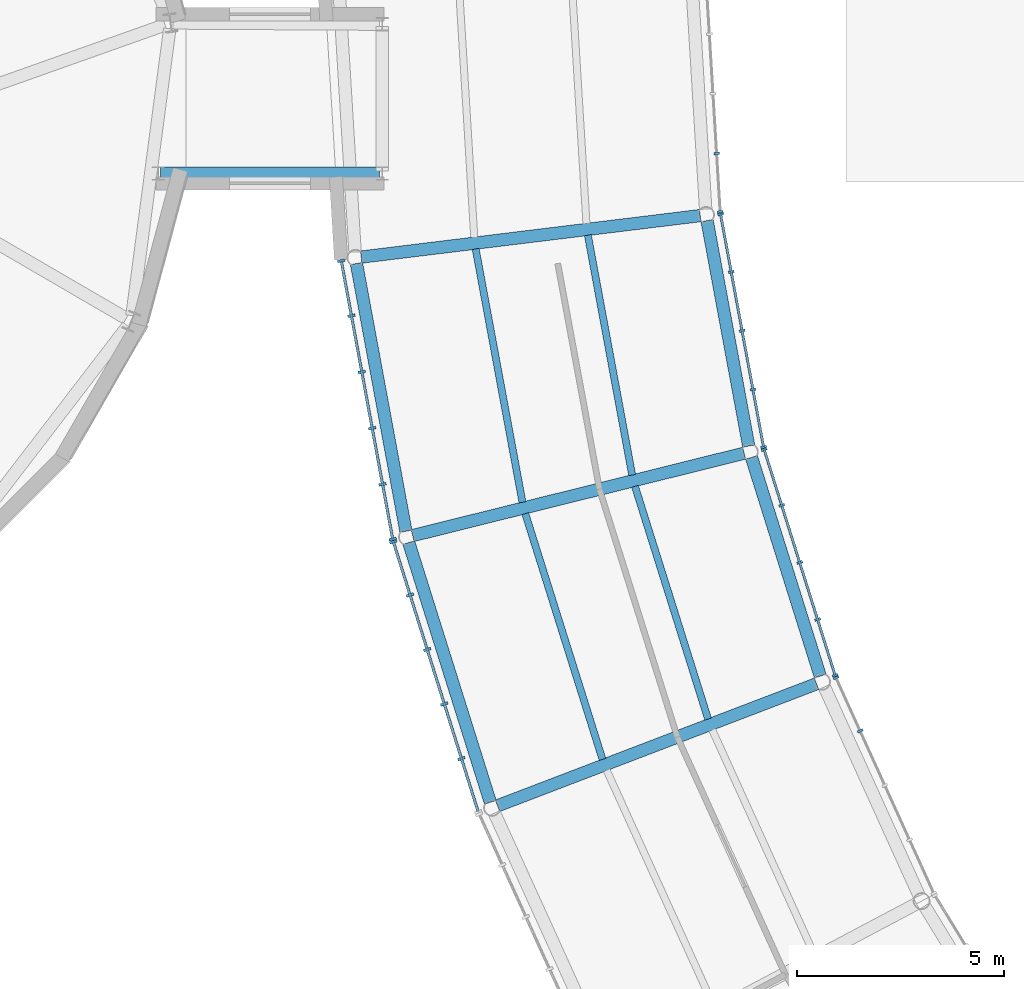
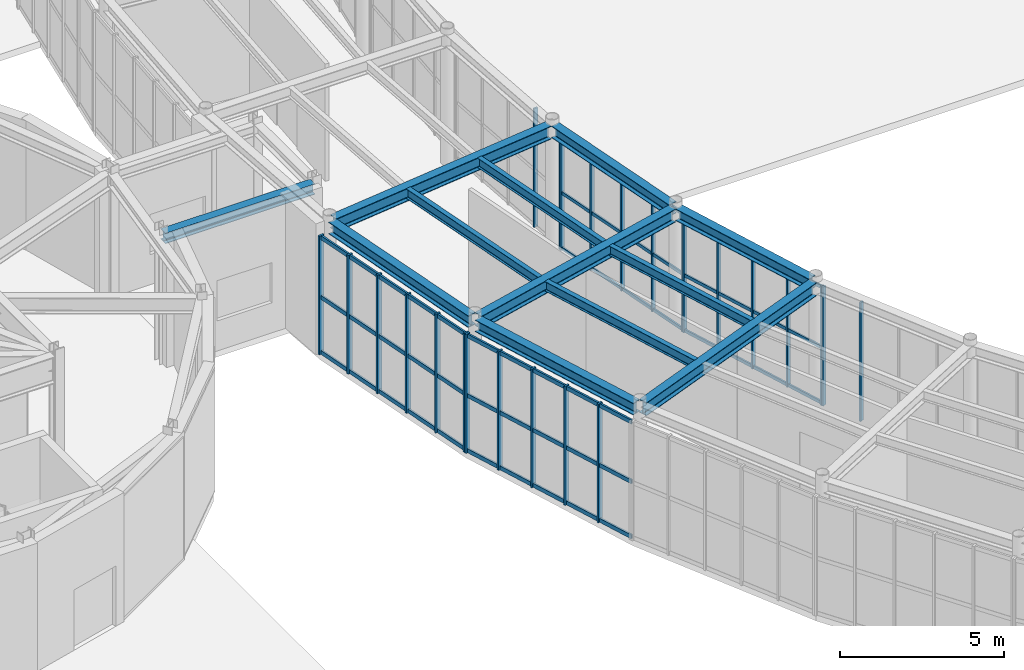
# One storey, part 22 of 97: 37 members, 12 beams, 6 elements without a shape of their own.
"""IFC4 building model written with IfcOpenShell, lengths in metres."""

from ifc_helpers import new_model, si_unit, direction, frame, origin, origin_2d, place, context, subcontext, project, spatial, rectangle, i_section, extrude, material, material_profile, profile_set, type_object, element, aggregate, save


model = new_model("IFC4")

# Units and contexts
model_context = context("Model", 3, precision=1e-05, world=origin(), true_north=direction((0.0, 1.0)))
body_context = subcontext(model_context, "Body", "Model", "MODEL_VIEW")
ifc_project = project(units=[si_unit("LENGTHUNIT", "METRE"), si_unit("AREAUNIT", "SQUARE_METRE"), si_unit("VOLUMEUNIT", "CUBIC_METRE"), si_unit("PLANEANGLEUNIT", "RADIAN"), si_unit("MASSUNIT", "GRAM", prefix="KILO")], contexts=[model_context])

# Site, building, storey
site_placement = place(None, origin())
site = spatial("IfcSite", under=ifc_project, at=site_placement, CompositionType="ELEMENT")
building_placement = place(site_placement, origin())
building = spatial("IfcBuilding", under=site, at=building_placement, Name="Varnklinge Art Gallery", CompositionType="ELEMENT")
storey_placement = place(building_placement, origin())
storey = spatial("IfcBuildingStorey", under=building, at=storey_placement, Name="L00", CompositionType="ELEMENT", Elevation=0.0)

# Beams
ifc_material_1 = material(Name="Steel S355", Category="steel")
ifc_material_profile_1 = material_profile(ifc_material_1, i_section(OverallWidth=0.300048828125, OverallDepth=0.489990234375, WebThickness=0.011962890625, FlangeThickness=0.02294921875, FilletRadius=0.027099609375, at=origin_2d()), Name="HEA 500")
ifc_profile_set_1 = profile_set([ifc_material_profile_1], Name="Steel S355")
beam_type_1 = type_object("IfcBeamType", Name="BM-07", PredefinedType="BEAM", material=ifc_profile_set_1)
beam_1_placement = place(storey_placement, frame((40.297119140625, 48.18359375, 4.635009765625), z_axis=(0.992595580805, 0.121466098009, 0.0), x_axis=(-0.121466098009, 0.992595580805, 0.0)))
element("IfcBeam", 1, at=beam_1_placement, inside=storey, type_object=beam_type_1, Name="L00 BM-07 BM-V2-L01-R28", PredefinedType="BEAM", context=body_context, shape_type="SweptSolid", body=[
    extrude(i_section(OverallWidth=0.300048828125, OverallDepth=0.489990234375, WebThickness=0.011962890625, FlangeThickness=0.02294921875, FilletRadius=0.027099609375, at=origin_2d()), origin(), (0.0, 0.0, 1.0), 8.23681640625),
])
beam_2_placement = place(storey_placement, frame((41.53759765625, 41.468017578125, 4.635009765625), z_axis=(0.970493677731, 0.241126567355, 0.0), x_axis=(-0.241126567355, 0.970493677731, 0.0)))
element("IfcBeam", 2, at=beam_2_placement, inside=storey, type_object=beam_type_1, Name="L00 BM-07 BM-V2-L01-R29", PredefinedType="BEAM", context=body_context, shape_type="SweptSolid", body=[
    extrude(i_section(OverallWidth=0.300048828125, OverallDepth=0.489990234375, WebThickness=0.011962890625, FlangeThickness=0.02294921875, FilletRadius=0.027099609375, at=origin_2d()), origin(), (0.0, 0.0, 1.0), 8.236572265625),
])
beam_3_placement = place(storey_placement, frame((43.584228515625, 34.952880859375, 4.635009765625), z_axis=(0.934013153302, 0.357238616976, 0.0), x_axis=(-0.357238616976, 0.934013153302, 0.0)))
element("IfcBeam", 3, at=beam_3_placement, inside=storey, type_object=beam_type_1, Name="L00 BM-07 BM-V2-L01-R30", PredefinedType="BEAM", context=body_context, shape_type="SweptSolid", body=[
    extrude(i_section(OverallWidth=0.300048828125, OverallDepth=0.489990234375, WebThickness=0.011962890625, FlangeThickness=0.02294921875, FilletRadius=0.027099609375, at=origin_2d()), origin(), (0.0, 0.0, 1.0), 8.237060546875),
])
ifc_material_2 = material(Name="Steel S355", Category="steel")
ifc_material_profile_2 = material_profile(ifc_material_2, i_section(OverallWidth=0.300048828125, OverallDepth=0.389892578125, WebThickness=0.010986328125, FlangeThickness=0.01904296875, FilletRadius=0.027099609375, at=origin_2d()), Name="HEA 400")
ifc_profile_set_2 = profile_set([ifc_material_profile_2], Name="Steel S355")
beam_type_2 = type_object("IfcBeamType", Name="BM-09", PredefinedType="BEAM", material=ifc_profile_set_2)
beam_4_placement = place(storey_placement, frame((35.4599609375, 50.199951171875, 4.625), z_axis=(1.0, 0.0, 0.0), x_axis=(0.0, 1.0, 0.0)))
element("IfcBeam", 4, at=beam_4_placement, inside=storey, type_object=beam_type_2, Name="L00 BM-09 BM-LNK-V3-L01-1", PredefinedType="BEAM", context=body_context, shape_type="SweptSolid", body=[
    extrude(i_section(OverallWidth=0.300048828125, OverallDepth=0.389892578125, WebThickness=0.010986328125, FlangeThickness=0.01904296875, FilletRadius=0.027099609375, at=origin_2d()), origin(), (0.0, 0.0, 1.0), 5.280029296875),
])
ifc_material_3 = material(Name="Steel S355", Category="steel")
ifc_material_profile_3 = material_profile(ifc_material_3, i_section(OverallWidth=0.169921875, OverallDepth=0.360107421875, WebThickness=0.008056640625, FlangeThickness=0.0126953125, FilletRadius=0.01806640625, at=origin_2d()), Name="IPE 360")
ifc_profile_set_3 = profile_set([ifc_material_profile_3], Name="Steel S355")
beam_type_3 = type_object("IfcBeamType", Name="JST-06", PredefinedType="JOIST", material=ifc_profile_set_3)
beam_5_placement = place(storey_placement, frame((43.057861328125, 48.380615234375, 4.699951171875), z_axis=(0.181640421722, -0.983365017273, 0.0), x_axis=(0.983365017273, 0.181640421722, 0.0)))
element("IfcBeam", 5, at=beam_5_placement, inside=storey, type_object=beam_type_3, Name="L00 JST-06 JST-V2-L01-28-1", PredefinedType="JOIST", context=body_context, shape_type="SweptSolid", body=[
    extrude(i_section(OverallWidth=0.169921875, OverallDepth=0.360107421875, WebThickness=0.008056640625, FlangeThickness=0.0126953125, FilletRadius=0.01806640625, at=origin_2d()), origin(), (0.0, 0.0, 1.0), 6.213623046875),
])
beam_6_placement = place(storey_placement, frame((45.76318359375, 48.711669921875, 4.699951171875), z_axis=(0.181631460363, -0.983366672512, 0.0), x_axis=(0.983366672512, 0.181631460363, 0.0)))
element("IfcBeam", 6, at=beam_6_placement, inside=storey, type_object=beam_type_3, Name="L00 JST-06 JST-V2-L01-28-2", PredefinedType="JOIST", context=body_context, shape_type="SweptSolid", body=[
    extrude(i_section(OverallWidth=0.169921875, OverallDepth=0.360107421875, WebThickness=0.008056640625, FlangeThickness=0.0126953125, FilletRadius=0.01806640625, at=origin_2d()), origin(), (0.0, 0.0, 1.0), 5.882080078125),
])
beam_7_placement = place(storey_placement, frame((44.25390625, 41.998779296875, 4.699951171875), z_axis=(0.29971318729, -0.954029352465, 0.0), x_axis=(0.954029352465, 0.29971318729, 0.0)))
element("IfcBeam", 7, at=beam_7_placement, inside=storey, type_object=beam_type_3, Name="L00 JST-06 JST-V2-L01-29-1", PredefinedType="JOIST", context=body_context, shape_type="SweptSolid", body=[
    extrude(i_section(OverallWidth=0.169921875, OverallDepth=0.360107421875, WebThickness=0.008056640625, FlangeThickness=0.0126953125, FilletRadius=0.01806640625, at=origin_2d()), origin(), (0.0, 0.0, 1.0), 6.213623046875),
])
beam_8_placement = place(storey_placement, frame((46.89892578125, 42.656005859375, 4.699951171875), z_axis=(0.299756442746, -0.954015762465, 0.0), x_axis=(0.954015762465, 0.299756442746, 0.0)))
element("IfcBeam", 8, at=beam_8_placement, inside=storey, type_object=beam_type_3, Name="L00 JST-06 JST-V2-L01-29-2", PredefinedType="JOIST", context=body_context, shape_type="SweptSolid", body=[
    extrude(i_section(OverallWidth=0.169921875, OverallDepth=0.360107421875, WebThickness=0.008056640625, FlangeThickness=0.0126953125, FilletRadius=0.01806640625, at=origin_2d()), origin(), (0.0, 0.0, 1.0), 5.882080078125),
])

# Curtain wall, members
ifc_material_4 = material(Name="Anodised Aluminium", Category="aluminium")
curtain_wall_type_1 = type_object("IfcCurtainWallType", Name="CW-R01", PredefinedType="USERDEFINED", material=ifc_material_4)
curtain_wall_1_placement = place(storey_placement, origin())
curtain_wall_1 = element("IfcCurtainWall", 9, at=curtain_wall_1_placement, inside=storey, type_object=curtain_wall_type_1, Name="L00 Curtain Wall CW-V2O-L00-28", ObjectType="UNITISED CURTAIN WALL", PredefinedType="USERDEFINED")
ifc_material_5 = material(Name="Anodised Aluminium", Category="aluminium")
ifc_material_profile_4 = material_profile(ifc_material_5, rectangle(XDim=0.06494140625, YDim=0.179931640625, at=origin_2d()), Name="ALU 65x180")
ifc_profile_set_4 = profile_set([ifc_material_profile_4], Name="Anodised Aluminium")
member_type_1 = type_object("IfcMemberType", Name="MUL-01", PredefinedType="MULLION", material=ifc_profile_set_4)
member_1_placement = place(storey_placement, frame((39.81640625, 48.092041015625, 0.0), z_axis=(0.0, 0.0, 1.0), x_axis=(0.18172066947, -0.983350191075, 0.0)))
member_1 = element("IfcMember", 10, at=member_1_placement, type_object=member_type_1, Name="CW-V2O-L00-28 Mullion 1", PredefinedType="MULLION", context=body_context, shape_type="SweptSolid", body=[
    extrude(rectangle(XDim=0.06494140625, YDim=0.179931640625, at=origin_2d()), origin(), (0.0, 0.0, 1.0), 4.429931640625),
])
member_2_placement = place(storey_placement, frame((40.060791015625, 46.769287109375, 0.0), z_axis=(0.0, 0.0, 1.0), x_axis=(0.18172066947, -0.983350191075, 0.0)))
member_2 = element("IfcMember", 11, at=member_2_placement, type_object=member_type_1, Name="CW-V2O-L00-28 Mullion 2", PredefinedType="MULLION", context=body_context, shape_type="SweptSolid", body=[
    extrude(rectangle(XDim=0.06494140625, YDim=0.179931640625, at=origin_2d()), origin(), (0.0, 0.0, 1.0), 4.429931640625),
])
member_3_placement = place(storey_placement, frame((40.31103515625, 45.414306640625, 0.0), z_axis=(0.0, 0.0, 1.0), x_axis=(0.18172066947, -0.983350191075, 0.0)))
member_3 = element("IfcMember", 12, at=member_3_placement, type_object=member_type_1, Name="CW-V2O-L00-28 Mullion 3", PredefinedType="MULLION", context=body_context, shape_type="SweptSolid", body=[
    extrude(rectangle(XDim=0.06494140625, YDim=0.179931640625, at=origin_2d()), origin(), (0.0, 0.0, 1.0), 4.429931640625),
])
member_4_placement = place(storey_placement, frame((40.561279296875, 44.0595703125, 0.0), z_axis=(0.0, 0.0, 1.0), x_axis=(0.18172066947, -0.983350191075, 0.0)))
member_4 = element("IfcMember", 13, at=member_4_placement, type_object=member_type_1, Name="CW-V2O-L00-28 Mullion 4", PredefinedType="MULLION", context=body_context, shape_type="SweptSolid", body=[
    extrude(rectangle(XDim=0.06494140625, YDim=0.179931640625, at=origin_2d()), origin(), (0.0, 0.0, 1.0), 4.429931640625),
])
member_5_placement = place(storey_placement, frame((40.8115234375, 42.70458984375, 0.0), z_axis=(0.0, 0.0, 1.0), x_axis=(0.18172066947, -0.983350191075, 0.0)))
member_5 = element("IfcMember", 14, at=member_5_placement, type_object=member_type_1, Name="CW-V2O-L00-28 Mullion 5", PredefinedType="MULLION", context=body_context, shape_type="SweptSolid", body=[
    extrude(rectangle(XDim=0.06494140625, YDim=0.179931640625, at=origin_2d()), origin(), (0.0, 0.0, 1.0), 4.429931640625),
])
member_6_placement = place(storey_placement, frame((41.055908203125, 41.3818359375, 0.0), z_axis=(0.0, 0.0, 1.0), x_axis=(0.18172066947, -0.983350191075, 0.0)))
member_6 = element("IfcMember", 15, at=member_6_placement, type_object=member_type_1, Name="CW-V2O-L00-28 Mullion 6", PredefinedType="MULLION", context=body_context, shape_type="SweptSolid", body=[
    extrude(rectangle(XDim=0.06494140625, YDim=0.179931640625, at=origin_2d()), origin(), (0.0, 0.0, 1.0), 4.429931640625),
])

curtain_wall_2_placement = place(storey_placement, origin())
curtain_wall_2 = element("IfcCurtainWall", 16, at=curtain_wall_2_placement, inside=storey, type_object=curtain_wall_type_1, Name="L00 Curtain Wall CW-V2O-L00-29", ObjectType="UNITISED CURTAIN WALL", PredefinedType="USERDEFINED")
member_7_placement = place(storey_placement, frame((41.071533203125, 41.31884765625, 0.0), z_axis=(0.0, 0.0, 1.0), x_axis=(0.299706904751, -0.954031326134, 0.0)))
member_7 = element("IfcMember", 17, at=member_7_placement, type_object=member_type_1, Name="CW-V2O-L00-29 Mullion 1", PredefinedType="MULLION", context=body_context, shape_type="SweptSolid", body=[
    extrude(rectangle(XDim=0.06494140625, YDim=0.179931640625, at=origin_2d()), origin(), (0.0, 0.0, 1.0), 4.429931640625),
])
member_8_placement = place(storey_placement, frame((41.474853515625, 40.035400390625, 0.0), z_axis=(0.0, 0.0, 1.0), x_axis=(0.299706904751, -0.954031326134, 0.0)))
member_8 = element("IfcMember", 18, at=member_8_placement, type_object=member_type_1, Name="CW-V2O-L00-29 Mullion 2", PredefinedType="MULLION", context=body_context, shape_type="SweptSolid", body=[
    extrude(rectangle(XDim=0.06494140625, YDim=0.179931640625, at=origin_2d()), origin(), (0.0, 0.0, 1.0), 4.429931640625),
])
member_9_placement = place(storey_placement, frame((41.8876953125, 38.720947265625, 0.0), z_axis=(0.0, 0.0, 1.0), x_axis=(0.299706904751, -0.954031326134, 0.0)))
member_9 = element("IfcMember", 19, at=member_9_placement, type_object=member_type_1, Name="CW-V2O-L00-29 Mullion 3", PredefinedType="MULLION", context=body_context, shape_type="SweptSolid", body=[
    extrude(rectangle(XDim=0.06494140625, YDim=0.179931640625, at=origin_2d()), origin(), (0.0, 0.0, 1.0), 4.429931640625),
])
member_10_placement = place(storey_placement, frame((42.30078125, 37.406494140625, 0.0), z_axis=(0.0, 0.0, 1.0), x_axis=(0.299706904751, -0.954031326134, 0.0)))
member_10 = element("IfcMember", 20, at=member_10_placement, type_object=member_type_1, Name="CW-V2O-L00-29 Mullion 4", PredefinedType="MULLION", context=body_context, shape_type="SweptSolid", body=[
    extrude(rectangle(XDim=0.06494140625, YDim=0.179931640625, at=origin_2d()), origin(), (0.0, 0.0, 1.0), 4.429931640625),
])
member_11_placement = place(storey_placement, frame((42.713623046875, 36.09228515625, 0.0), z_axis=(0.0, 0.0, 1.0), x_axis=(0.299706904751, -0.954031326134, 0.0)))
member_11 = element("IfcMember", 21, at=member_11_placement, type_object=member_type_1, Name="CW-V2O-L00-29 Mullion 5", PredefinedType="MULLION", context=body_context, shape_type="SweptSolid", body=[
    extrude(rectangle(XDim=0.06494140625, YDim=0.179931640625, at=origin_2d()), origin(), (0.0, 0.0, 1.0), 4.429931640625),
])

ifc_material_6 = material(Name="Anodised Aluminium", Category="aluminium")
curtain_wall_type_2 = type_object("IfcCurtainWallType", Name="CW-R03", PredefinedType="USERDEFINED", material=ifc_material_6)
curtain_wall_3_placement = place(storey_placement, origin())
curtain_wall_3 = element("IfcCurtainWall", 22, at=curtain_wall_3_placement, inside=storey, type_object=curtain_wall_type_2, Name="L00 Curtain Wall CW-V2I-L00-27", ObjectType="UNITISED CURTAIN WALL", PredefinedType="USERDEFINED")
ifc_material_7 = material(Name="Anodised Aluminium", Category="aluminium")
ifc_material_profile_5 = material_profile(ifc_material_7, rectangle(XDim=0.06005859375, YDim=0.139892578125, at=origin_2d()), Name="ALU 60x140")
ifc_profile_set_5 = profile_set([ifc_material_profile_5], Name="Anodised Aluminium")
member_type_2 = type_object("IfcMemberType", Name="MUL-03", PredefinedType="MULLION", material=ifc_profile_set_5)
member_12_placement = place(storey_placement, frame((48.95751953125, 49.2734375, 0.0), z_axis=(0.0, 0.0, 1.0), x_axis=(-0.06087433122, 0.9981454382, 0.0)))
member_12 = element("IfcMember", 23, at=member_12_placement, type_object=member_type_2, Name="CW-V2I-L00-27 Mullion 1", PredefinedType="MULLION", context=body_context, shape_type="SweptSolid", body=[
    extrude(rectangle(XDim=0.06005859375, YDim=0.139892578125, at=origin_2d()), origin(), (0.0, 0.0, 1.0), 4.429931640625),
])
member_13_placement = place(storey_placement, frame((48.87158203125, 50.6826171875, 0.0), z_axis=(0.0, 0.0, 1.0), x_axis=(-0.06087433122, 0.9981454382, 0.0)))
member_13 = element("IfcMember", 24, at=member_13_placement, type_object=member_type_2, Name="CW-V2I-L00-27 Mullion 2", PredefinedType="MULLION", context=body_context, shape_type="SweptSolid", body=[
    extrude(rectangle(XDim=0.06005859375, YDim=0.139892578125, at=origin_2d()), origin(), (0.0, 0.0, 1.0), 4.429931640625),
])
aggregate(curtain_wall_3, [member_12, member_13])

curtain_wall_4_placement = place(storey_placement, origin())
curtain_wall_4 = element("IfcCurtainWall", 25, at=curtain_wall_4_placement, inside=storey, type_object=curtain_wall_type_2, Name="L00 Curtain Wall CW-V2I-L00-28", ObjectType="UNITISED CURTAIN WALL", PredefinedType="USERDEFINED")
member_14_placement = place(storey_placement, frame((50.00146484375, 43.601806640625, 0.0), z_axis=(0.0, 0.0, 1.0), x_axis=(-0.181549039717, 0.983381892338, 0.0)))
member_14 = element("IfcMember", 26, at=member_14_placement, type_object=member_type_2, Name="CW-V2I-L00-28 Mullion 1", PredefinedType="MULLION", context=body_context, shape_type="SweptSolid", body=[
    extrude(rectangle(XDim=0.06005859375, YDim=0.139892578125, at=origin_2d()), origin(), (0.0, 0.0, 1.0), 4.429931640625),
])
member_15_placement = place(storey_placement, frame((49.7451171875, 44.990234375, 0.0), z_axis=(0.0, 0.0, 1.0), x_axis=(-0.181549039717, 0.983381892338, 0.0)))
member_15 = element("IfcMember", 27, at=member_15_placement, type_object=member_type_2, Name="CW-V2I-L00-28 Mullion 2", PredefinedType="MULLION", context=body_context, shape_type="SweptSolid", body=[
    extrude(rectangle(XDim=0.06005859375, YDim=0.139892578125, at=origin_2d()), origin(), (0.0, 0.0, 1.0), 4.429931640625),
])
member_16_placement = place(storey_placement, frame((49.483154296875, 46.407958984375, 0.0), z_axis=(0.0, 0.0, 1.0), x_axis=(-0.181549039717, 0.983381892338, 0.0)))
member_16 = element("IfcMember", 28, at=member_16_placement, type_object=member_type_2, Name="CW-V2I-L00-28 Mullion 3", PredefinedType="MULLION", context=body_context, shape_type="SweptSolid", body=[
    extrude(rectangle(XDim=0.06005859375, YDim=0.139892578125, at=origin_2d()), origin(), (0.0, 0.0, 1.0), 4.429931640625),
])
member_17_placement = place(storey_placement, frame((49.22119140625, 47.82568359375, 0.0), z_axis=(0.0, 0.0, 1.0), x_axis=(-0.181549039717, 0.983381892338, 0.0)))
member_17 = element("IfcMember", 29, at=member_17_placement, type_object=member_type_2, Name="CW-V2I-L00-28 Mullion 4", PredefinedType="MULLION", context=body_context, shape_type="SweptSolid", body=[
    extrude(rectangle(XDim=0.06005859375, YDim=0.139892578125, at=origin_2d()), origin(), (0.0, 0.0, 1.0), 4.429931640625),
])
member_18_placement = place(storey_placement, frame((48.96484375, 49.214111328125, 0.0), z_axis=(0.0, 0.0, 1.0), x_axis=(-0.181549039717, 0.983381892338, 0.0)))
member_18 = element("IfcMember", 30, at=member_18_placement, type_object=member_type_2, Name="CW-V2I-L00-28 Mullion 5", PredefinedType="MULLION", context=body_context, shape_type="SweptSolid", body=[
    extrude(rectangle(XDim=0.06005859375, YDim=0.139892578125, at=origin_2d()), origin(), (0.0, 0.0, 1.0), 4.429931640625),
])

curtain_wall_5_placement = place(storey_placement, origin())
curtain_wall_5 = element("IfcCurtainWall", 31, at=curtain_wall_5_placement, inside=storey, type_object=curtain_wall_type_2, Name="L00 Curtain Wall CW-V2I-L00-29", ObjectType="UNITISED CURTAIN WALL", PredefinedType="USERDEFINED")
member_19_placement = place(storey_placement, frame((51.7265625, 38.09912109375, 0.0), z_axis=(0.0, 0.0, 1.0), x_axis=(-0.299706904751, 0.954031326134, 0.0)))
member_19 = element("IfcMember", 32, at=member_19_placement, type_object=member_type_2, Name="CW-V2I-L00-29 Mullion 1", PredefinedType="MULLION", context=body_context, shape_type="SweptSolid", body=[
    extrude(rectangle(XDim=0.06005859375, YDim=0.139892578125, at=origin_2d()), origin(), (0.0, 0.0, 1.0), 4.429931640625),
])
member_20_placement = place(storey_placement, frame((51.303466796875, 39.44580078125, 0.0), z_axis=(0.0, 0.0, 1.0), x_axis=(-0.299706904751, 0.954031326134, 0.0)))
member_20 = element("IfcMember", 33, at=member_20_placement, type_object=member_type_2, Name="CW-V2I-L00-29 Mullion 2", PredefinedType="MULLION", context=body_context, shape_type="SweptSolid", body=[
    extrude(rectangle(XDim=0.06005859375, YDim=0.139892578125, at=origin_2d()), origin(), (0.0, 0.0, 1.0), 4.429931640625),
])
member_21_placement = place(storey_placement, frame((50.871337890625, 40.8212890625, 0.0), z_axis=(0.0, 0.0, 1.0), x_axis=(-0.299706904751, 0.954031326134, 0.0)))
member_21 = element("IfcMember", 34, at=member_21_placement, type_object=member_type_2, Name="CW-V2I-L00-29 Mullion 3", PredefinedType="MULLION", context=body_context, shape_type="SweptSolid", body=[
    extrude(rectangle(XDim=0.06005859375, YDim=0.139892578125, at=origin_2d()), origin(), (0.0, 0.0, 1.0), 4.429931640625),
])
member_22_placement = place(storey_placement, frame((50.439208984375, 42.197021484375, 0.0), z_axis=(0.0, 0.0, 1.0), x_axis=(-0.299706904751, 0.954031326134, 0.0)))
member_22 = element("IfcMember", 35, at=member_22_placement, type_object=member_type_2, Name="CW-V2I-L00-29 Mullion 4", PredefinedType="MULLION", context=body_context, shape_type="SweptSolid", body=[
    extrude(rectangle(XDim=0.06005859375, YDim=0.139892578125, at=origin_2d()), origin(), (0.0, 0.0, 1.0), 4.429931640625),
])
member_23_placement = place(storey_placement, frame((50.015869140625, 43.543701171875, 0.0), z_axis=(0.0, 0.0, 1.0), x_axis=(-0.299706904751, 0.954031326134, 0.0)))
member_23 = element("IfcMember", 36, at=member_23_placement, type_object=member_type_2, Name="CW-V2I-L00-29 Mullion 5", PredefinedType="MULLION", context=body_context, shape_type="SweptSolid", body=[
    extrude(rectangle(XDim=0.06005859375, YDim=0.139892578125, at=origin_2d()), origin(), (0.0, 0.0, 1.0), 4.429931640625),
])

curtain_wall_6_placement = place(storey_placement, origin())
curtain_wall_6 = element("IfcCurtainWall", 37, at=curtain_wall_6_placement, inside=storey, type_object=curtain_wall_type_2, Name="L00 Curtain Wall CW-V2I-L00-30", ObjectType="UNITISED CURTAIN WALL", PredefinedType="USERDEFINED")
member_24_placement = place(storey_placement, frame((52.33154296875, 36.757568359375, 0.0), z_axis=(0.0, 0.0, 1.0), x_axis=(-0.413422293217, 0.910539404678, 0.0)))
member_24 = element("IfcMember", 38, at=member_24_placement, type_object=member_type_2, Name="CW-V2I-L00-30 Mullion 4", PredefinedType="MULLION", context=body_context, shape_type="SweptSolid", body=[
    extrude(rectangle(XDim=0.06005859375, YDim=0.139892578125, at=origin_2d()), origin(), (0.0, 0.0, 1.0), 4.429931640625),
])
member_25_placement = place(storey_placement, frame((51.748046875, 38.043212890625, 0.0), z_axis=(0.0, 0.0, 1.0), x_axis=(-0.413422293217, 0.910539404678, 0.0)))
member_25 = element("IfcMember", 39, at=member_25_placement, type_object=member_type_2, Name="CW-V2I-L00-30 Mullion 5", PredefinedType="MULLION", context=body_context, shape_type="SweptSolid", body=[
    extrude(rectangle(XDim=0.06005859375, YDim=0.139892578125, at=origin_2d()), origin(), (0.0, 0.0, 1.0), 4.429931640625),
])
aggregate(curtain_wall_6, [member_24, member_25])

# Beams
ifc_material_8 = material(Name="Steel S355", Category="steel")
ifc_material_profile_6 = material_profile(ifc_material_8, i_section(OverallWidth=0.300048828125, OverallDepth=0.43994140625, WebThickness=0.011474609375, FlangeThickness=0.02099609375, FilletRadius=0.027099609375, at=origin_2d()), Name="HEA 450")
ifc_profile_set_6 = profile_set([ifc_material_profile_6], Name="Steel S355")
beam_type_4 = type_object("IfcBeamType", Name="SPB-02", PredefinedType="SPANDREL", material=ifc_profile_set_6)
beam_9_placement = place(storey_placement, frame((40.183349609375, 48.02880859375, 4.659912109375), z_axis=(0.181672496831, -0.983359092039, 0.0), x_axis=(0.983359092039, 0.181672496831, 0.0)))
element("IfcBeam", 40, at=beam_9_placement, inside=storey, type_object=beam_type_4, Name="L00 SPB-02 BM-V2-L01-O28", PredefinedType="SPANDREL", context=body_context, shape_type="SweptSolid", body=[
    extrude(i_section(OverallWidth=0.300048828125, OverallDepth=0.43994140625, WebThickness=0.011474609375, FlangeThickness=0.02099609375, FilletRadius=0.027099609375, at=origin_2d()), origin(), (0.0, 0.0, 1.0), 6.566162109375),
])
beam_10_placement = place(storey_placement, frame((48.637451171875, 49.0634765625, 4.659912109375), z_axis=(0.181635496942, -0.983365926932, 0.0), x_axis=(0.983365926932, 0.181635496942, 0.0)))
element("IfcBeam", 41, at=beam_10_placement, inside=storey, type_object=beam_type_4, Name="L00 SPB-02 BM-V2-L01-I28", PredefinedType="SPANDREL", context=body_context, shape_type="SweptSolid", body=[
    extrude(i_section(OverallWidth=0.300048828125, OverallDepth=0.43994140625, WebThickness=0.011474609375, FlangeThickness=0.02099609375, FilletRadius=0.027099609375, at=origin_2d()), origin(), (0.0, 0.0, 1.0), 5.52978515625),
])
beam_11_placement = place(storey_placement, frame((41.443603515625, 41.300537109375, 4.659912109375), z_axis=(0.299727009364, -0.95402501008, 0.0), x_axis=(0.95402501008, 0.299727009364, 0.0)))
element("IfcBeam", 42, at=beam_11_placement, inside=storey, type_object=beam_type_4, Name="L00 SPB-02 BM-V2-L01-O29", PredefinedType="SPANDREL", context=body_context, shape_type="SweptSolid", body=[
    extrude(i_section(OverallWidth=0.300048828125, OverallDepth=0.43994140625, WebThickness=0.011474609375, FlangeThickness=0.02099609375, FilletRadius=0.027099609375, at=origin_2d()), origin(), (0.0, 0.0, 1.0), 6.56591796875),
])
beam_12_placement = place(storey_placement, frame((49.709228515625, 43.3544921875, 4.659912109375), z_axis=(0.299742786947, -0.954020053077, 0.0), x_axis=(0.954020053077, 0.299742786947, 0.0)))
element("IfcBeam", 43, at=beam_12_placement, inside=storey, type_object=beam_type_4, Name="L00 SPB-02 BM-V2-L01-I29", PredefinedType="SPANDREL", context=body_context, shape_type="SweptSolid", body=[
    extrude(i_section(OverallWidth=0.300048828125, OverallDepth=0.43994140625, WebThickness=0.011474609375, FlangeThickness=0.02099609375, FilletRadius=0.027099609375, at=origin_2d()), origin(), (0.0, 0.0, 1.0), 5.529541015625),
])

# Member
ifc_material_9 = material(Name="Anodised Aluminium", Category="aluminium")
ifc_material_profile_7 = material_profile(ifc_material_9, rectangle(XDim=0.06494140625, YDim=0.14990234375, at=origin_2d()), Name="ALU 65x150")
ifc_profile_set_7 = profile_set([ifc_material_profile_7], Name="Anodised Aluminium")
member_type_3 = type_object("IfcMemberType", Name="TRN-01", PredefinedType="USERDEFINED", material=ifc_profile_set_7)
member_26_placement = place(storey_placement, frame((39.81640625, 48.092041015625, 0.074951171875), z_axis=(0.181645952551, -0.98336399564, 0.0), x_axis=(0.98336399564, 0.181645952551, 0.0)))
member_26 = element("IfcMember", 44, at=member_26_placement, type_object=member_type_3, Name="CW-V2O-L00-28 Transom 1", ObjectType="TRANSOM", PredefinedType="USERDEFINED", context=body_context, shape_type="SweptSolid", body=[
    extrude(rectangle(XDim=0.06494140625, YDim=0.14990234375, at=origin_2d()), origin(), (0.0, 0.0, 1.0), 6.82373046875),
])

member_27_placement = place(storey_placement, frame((39.81640625, 48.092041015625, 2.12646484375), z_axis=(0.181645952551, -0.98336399564, 0.0), x_axis=(0.98336399564, 0.181645952551, 0.0)))
member_27 = element("IfcMember", 45, at=member_27_placement, type_object=member_type_3, Name="CW-V2O-L00-28 Transom 2", ObjectType="TRANSOM", PredefinedType="USERDEFINED", context=body_context, shape_type="SweptSolid", body=[
    extrude(rectangle(XDim=0.06494140625, YDim=0.14990234375, at=origin_2d()), origin(), (0.0, 0.0, 1.0), 6.82373046875),
])

member_28_placement = place(storey_placement, frame((39.81640625, 48.092041015625, 4.35498046875), z_axis=(0.181645952551, -0.98336399564, 0.0), x_axis=(0.98336399564, 0.181645952551, 0.0)))
member_28 = element("IfcMember", 46, at=member_28_placement, type_object=member_type_3, Name="CW-V2O-L00-28 Transom 3", ObjectType="TRANSOM", PredefinedType="USERDEFINED", context=body_context, shape_type="SweptSolid", body=[
    extrude(rectangle(XDim=0.06494140625, YDim=0.14990234375, at=origin_2d()), origin(), (0.0, 0.0, 1.0), 6.82373046875),
])

aggregate(curtain_wall_1, [member_1, member_2, member_3, member_4, member_5, member_6, member_26, member_27, member_28])

member_29_placement = place(storey_placement, frame((41.071533203125, 41.31884765625, 0.074951171875), z_axis=(0.299747517442, -0.954018566794, 0.0), x_axis=(0.954018566794, 0.299747517442, 0.0)))
member_29 = element("IfcMember", 47, at=member_29_placement, type_object=member_type_3, Name="CW-V2O-L00-29 Transom 1", ObjectType="TRANSOM", PredefinedType="USERDEFINED", context=body_context, shape_type="SweptSolid", body=[
    extrude(rectangle(XDim=0.06494140625, YDim=0.14990234375, at=origin_2d()), origin(), (0.0, 0.0, 1.0), 6.82373046875),
])

member_30_placement = place(storey_placement, frame((41.071533203125, 41.31884765625, 2.12646484375), z_axis=(0.299747517442, -0.954018566794, 0.0), x_axis=(0.954018566794, 0.299747517442, 0.0)))
member_30 = element("IfcMember", 48, at=member_30_placement, type_object=member_type_3, Name="CW-V2O-L00-29 Transom 2", ObjectType="TRANSOM", PredefinedType="USERDEFINED", context=body_context, shape_type="SweptSolid", body=[
    extrude(rectangle(XDim=0.06494140625, YDim=0.14990234375, at=origin_2d()), origin(), (0.0, 0.0, 1.0), 6.82373046875),
])

member_31_placement = place(storey_placement, frame((41.071533203125, 41.31884765625, 4.35498046875), z_axis=(0.299747517442, -0.954018566794, 0.0), x_axis=(0.954018566794, 0.299747517442, 0.0)))
member_31 = element("IfcMember", 49, at=member_31_placement, type_object=member_type_3, Name="CW-V2O-L00-29 Transom 3", ObjectType="TRANSOM", PredefinedType="USERDEFINED", context=body_context, shape_type="SweptSolid", body=[
    extrude(rectangle(XDim=0.06494140625, YDim=0.14990234375, at=origin_2d()), origin(), (0.0, 0.0, 1.0), 6.82373046875),
])

aggregate(curtain_wall_2, [member_7, member_8, member_9, member_10, member_11, member_29, member_30, member_31])

ifc_material_10 = material(Name="Anodised Aluminium", Category="aluminium")
ifc_material_profile_8 = material_profile(ifc_material_10, rectangle(XDim=0.06005859375, YDim=0.1201171875, at=origin_2d()), Name="ALU 60x120")
ifc_profile_set_8 = profile_set([ifc_material_profile_8], Name="Anodised Aluminium")
member_type_4 = type_object("IfcMemberType", Name="TRN-02", PredefinedType="USERDEFINED", material=ifc_profile_set_8)
member_32_placement = place(storey_placement, frame((50.00146484375, 43.601806640625, 0.06005859375), z_axis=(-0.181632759384, 0.983366432577, 0.0), x_axis=(-0.983366432577, -0.181632759384, 0.0)))
member_32 = element("IfcMember", 50, at=member_32_placement, type_object=member_type_4, Name="CW-V2I-L00-28 Transom 1", ObjectType="TRANSOM", PredefinedType="USERDEFINED", context=body_context, shape_type="SweptSolid", body=[
    extrude(rectangle(XDim=0.06005859375, YDim=0.1201171875, at=origin_2d()), origin(), (0.0, 0.0, 1.0), 5.707275390625),
])

member_33_placement = place(storey_placement, frame((50.00146484375, 43.601806640625, 2.12646484375), z_axis=(-0.181632759384, 0.983366432577, 0.0), x_axis=(-0.983366432577, -0.181632759384, 0.0)))
member_33 = element("IfcMember", 51, at=member_33_placement, type_object=member_type_4, Name="CW-V2I-L00-28 Transom 2", ObjectType="TRANSOM", PredefinedType="USERDEFINED", context=body_context, shape_type="SweptSolid", body=[
    extrude(rectangle(XDim=0.06005859375, YDim=0.1201171875, at=origin_2d()), origin(), (0.0, 0.0, 1.0), 5.707275390625),
])

member_34_placement = place(storey_placement, frame((50.00146484375, 43.601806640625, 4.3701171875), z_axis=(-0.181632759384, 0.983366432577, 0.0), x_axis=(-0.983366432577, -0.181632759384, 0.0)))
member_34 = element("IfcMember", 52, at=member_34_placement, type_object=member_type_4, Name="CW-V2I-L00-28 Transom 3", ObjectType="TRANSOM", PredefinedType="USERDEFINED", context=body_context, shape_type="SweptSolid", body=[
    extrude(rectangle(XDim=0.06005859375, YDim=0.1201171875, at=origin_2d()), origin(), (0.0, 0.0, 1.0), 5.707275390625),
])

aggregate(curtain_wall_4, [member_14, member_15, member_16, member_17, member_18, member_32, member_33, member_34])

member_35_placement = place(storey_placement, frame((51.7265625, 38.09912109375, 0.06005859375), z_axis=(-0.29975317852, 0.954016788095, 0.0), x_axis=(-0.954016788095, -0.29975317852, 0.0)))
member_35 = element("IfcMember", 53, at=member_35_placement, type_object=member_type_4, Name="CW-V2I-L00-29 Transom 1", ObjectType="TRANSOM", PredefinedType="USERDEFINED", context=body_context, shape_type="SweptSolid", body=[
    extrude(rectangle(XDim=0.06005859375, YDim=0.1201171875, at=origin_2d()), origin(), (0.0, 0.0, 1.0), 5.70703125),
])

member_36_placement = place(storey_placement, frame((51.7265625, 38.09912109375, 2.12646484375), z_axis=(-0.29975317852, 0.954016788095, 0.0), x_axis=(-0.954016788095, -0.29975317852, 0.0)))
member_36 = element("IfcMember", 54, at=member_36_placement, type_object=member_type_4, Name="CW-V2I-L00-29 Transom 2", ObjectType="TRANSOM", PredefinedType="USERDEFINED", context=body_context, shape_type="SweptSolid", body=[
    extrude(rectangle(XDim=0.06005859375, YDim=0.1201171875, at=origin_2d()), origin(), (0.0, 0.0, 1.0), 5.70703125),
])

member_37_placement = place(storey_placement, frame((51.7265625, 38.09912109375, 4.3701171875), z_axis=(-0.29975317852, 0.954016788095, 0.0), x_axis=(-0.954016788095, -0.29975317852, 0.0)))
member_37 = element("IfcMember", 55, at=member_37_placement, type_object=member_type_4, Name="CW-V2I-L00-29 Transom 3", ObjectType="TRANSOM", PredefinedType="USERDEFINED", context=body_context, shape_type="SweptSolid", body=[
    extrude(rectangle(XDim=0.06005859375, YDim=0.1201171875, at=origin_2d()), origin(), (0.0, 0.0, 1.0), 5.70703125),
])

aggregate(curtain_wall_5, [member_19, member_20, member_21, member_22, member_23, member_35, member_36, member_37])

save(model, "model.ifc")
